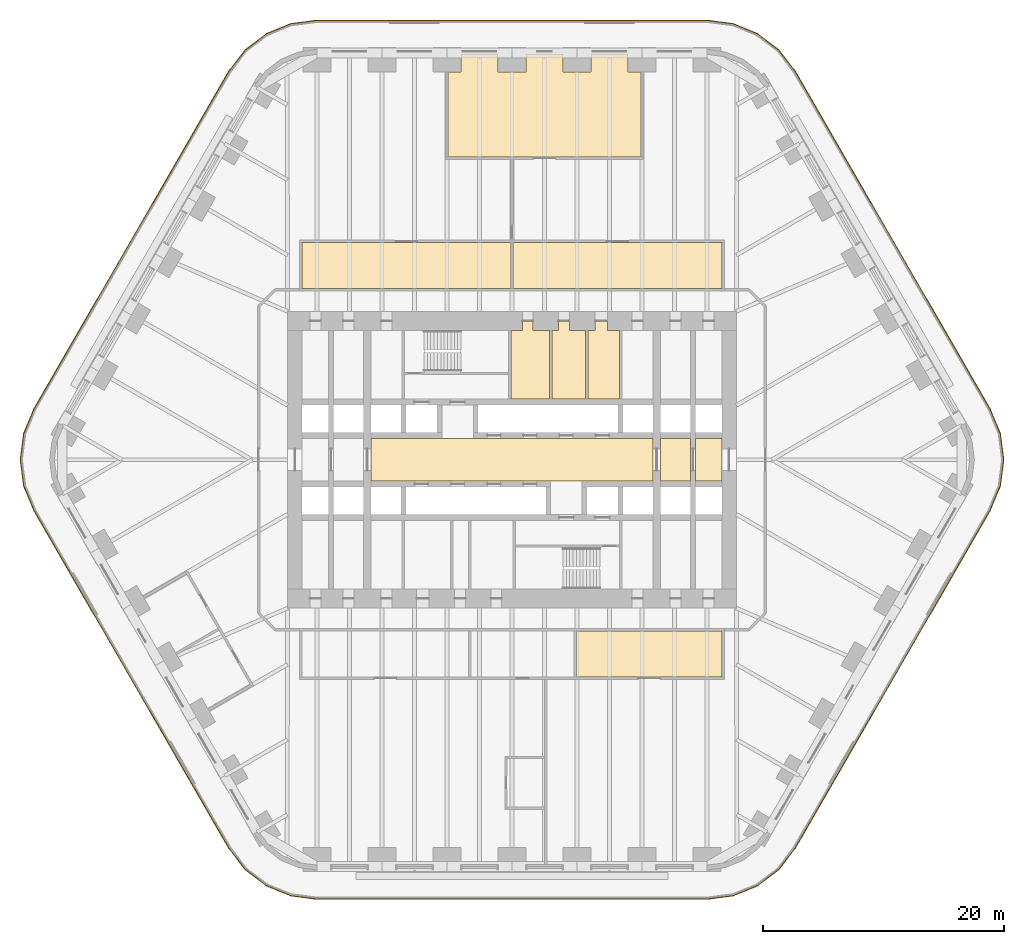
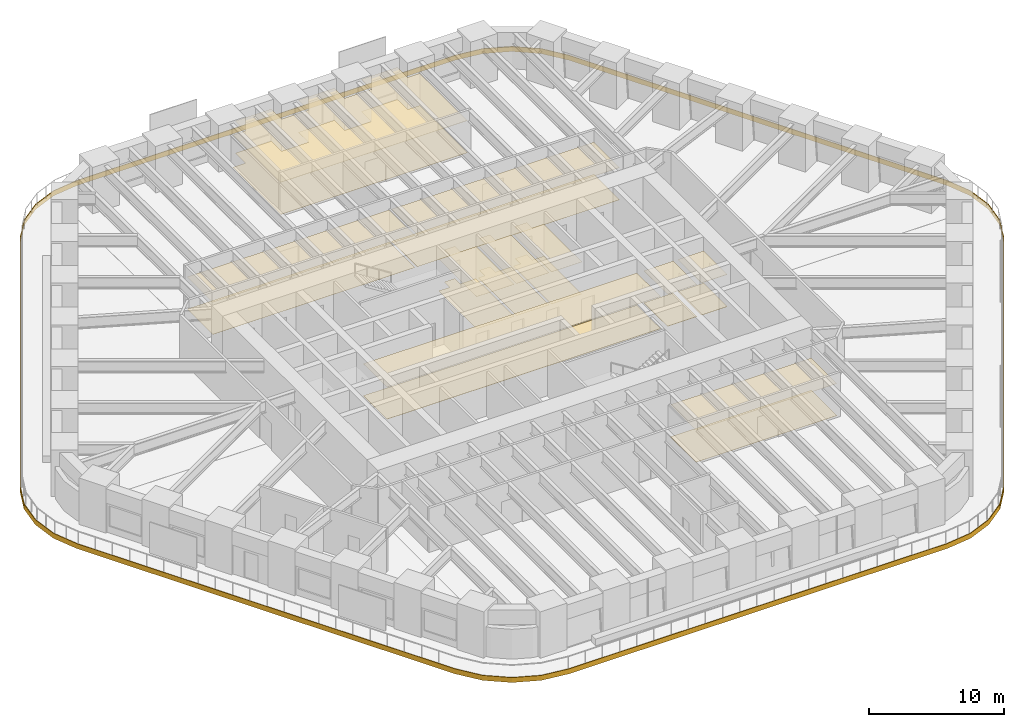
# One storey, part 22 of 23: 15 coverings.
"""IFC4 building model written with IfcOpenShell, lengths in metres."""

from ifc_helpers import new_model, si_unit, direction, frame, origin, place, context, subcontext, project, spatial, polyline, outline, extrude, material, layer, layer_set, type_object, element, save


model = new_model("IFC4")

# Units and contexts
model_context = context("Model", 3, precision=1e-05, world=origin(), true_north=direction((0.0, 1.0)))
body_context = subcontext(model_context, "Body", "Model", "MODEL_VIEW")
ifc_project = project(units=[si_unit("LENGTHUNIT", "METRE"), si_unit("AREAUNIT", "SQUARE_METRE"), si_unit("VOLUMEUNIT", "CUBIC_METRE"), si_unit("PLANEANGLEUNIT", "RADIAN"), si_unit("MASSUNIT", "GRAM", prefix="KILO")], contexts=[model_context])

# Site, building, storey
site_placement = place(None, origin())
site = spatial("IfcSite", under=ifc_project, at=site_placement, CompositionType="ELEMENT")
building_placement = place(site_placement, origin())
building = spatial("IfcBuilding", under=site, at=building_placement, Name="Tarfa Lantern Tower", CompositionType="ELEMENT")
storey_placement = place(building_placement, frame((0.0, 0.0, 36.10009765625)))
storey = spatial("IfcBuildingStorey", under=building, at=storey_placement, Name="L07", CompositionType="ELEMENT", Elevation=36.10009765625)

# Coverings
ifc_material_1 = material(Name="Mineral fibre acoustic tile on suspension grid", Category="finish")
ifc_layer_1 = layer(ifc_material_1, 0.02001953125)
ifc_layer_set_1 = layer_set([ifc_layer_1], Name="CL1 ACOUSTIC TILE CEILING 20")
covering_type_1 = type_object("IfcCoveringType", Name="CL1 ACOUSTIC TILE CEILING 20", PredefinedType="CEILING", material=ifc_layer_set_1)
covering_1_placement = place(storey_placement, frame((0.0, 0.0, 2.89990234375)))
element("IfcCovering", 1, at=covering_1_placement, inside=storey, type_object=covering_type_1, Name="Ceiling L07 CL1", PredefinedType="CEILING", context=body_context, shape_type="SweptSolid", body=[
    extrude(outline(polyline([(0.10009765625, 18.0), (17.39990234375, 18.0), (17.39990234375, 14.199951171875), (0.10009765625, 14.199951171875), (0.10009765625, 18.0)])), origin(), (0.0, 0.0, 1.0), 0.02001953125),
    extrude(outline(polyline([(5.35009765625, -14.199951171875), (17.39990234375, -14.199951171875), (17.39990234375, -18.0), (5.35009765625, -18.0), (5.35009765625, -14.199951171875)])), origin(), (0.0, 0.0, 1.0), 0.02001953125),
    extrude(outline(polyline([(10.67724609375, 25.10009765625), (-5.28857421875, 25.10009765625), (-5.28857421875, 32.14990234375), (-4.238525390625, 32.14990234375), (-4.238525390625, 33.64990234375), (-1.14990234375, 33.64990234375), (-1.14990234375, 32.14990234375), (1.14990234375, 32.14990234375), (1.14990234375, 33.64990234375), (4.238525390625, 33.64990234375), (4.238525390625, 32.14990234375), (6.53857421875, 32.14990234375), (6.53857421875, 33.64990234375), (9.627197265625, 33.64990234375), (9.627197265625, 32.14990234375), (10.67724609375, 32.14990234375), (10.67724609375, 25.10009765625)])), origin(), (0.0, 0.0, 1.0), 0.02001953125),
    extrude(outline(polyline([(-17.39990234375, 18.0), (-0.10009765625, 18.0), (-0.10009765625, 14.199951171875), (-17.39990234375, 14.199951171875), (-17.39990234375, 18.0)])), origin(), (0.0, 0.0, 1.0), 0.02001953125),
])
ifc_material_2 = material(Name="Moisture-resistant plasterboard", Category="finish")
ifc_layer_2 = layer(ifc_material_2, 0.014892578125)
ifc_layer_set_2 = layer_set([ifc_layer_2], Name="CL2 MOISTURE-RESISTANT PLASTERBOARD CEILING 15")
covering_type_2 = type_object("IfcCoveringType", Name="CL2 MOISTURE-RESISTANT PLASTERBOARD CEILING 15", PredefinedType="CEILING", material=ifc_layer_set_2)
covering_2_placement = place(storey_placement, frame((0.0, 0.0, 2.89990234375)))
element("IfcCovering", 2, at=covering_2_placement, inside=storey, type_object=covering_type_2, Name="Ceiling L07-09", PredefinedType="CEILING", context=body_context, shape_type="SweptSolid", body=[
    extrude(outline(polyline([(0.85009765625, 10.699951171875), (-0.10009765625, 10.699951171875), (-0.10009765625, 5.050048828125), (3.10009765625, 5.050048828125), (3.10009765625, 10.699951171875), (1.75, 10.699951171875), (1.75, 11.5), (0.85009765625, 11.5), (0.85009765625, 10.699951171875)])), origin(), (0.0, 0.0, 1.0), 0.014892578125),
])
covering_3_placement = place(storey_placement, frame((0.0, 0.0, 2.89990234375)))
element("IfcCovering", 3, at=covering_3_placement, inside=storey, type_object=covering_type_2, Name="Ceiling L07-10", PredefinedType="CEILING", context=body_context, shape_type="SweptSolid", body=[
    extrude(outline(polyline([(3.300048828125, 5.050048828125), (6.10009765625, 5.050048828125), (6.10009765625, 10.699951171875), (4.75, 10.699951171875), (4.75, 11.5), (3.85009765625, 11.5), (3.85009765625, 10.699951171875), (3.300048828125, 10.699951171875), (3.300048828125, 5.050048828125)])), origin(), (0.0, 0.0, 1.0), 0.014892578125),
])
covering_4_placement = place(storey_placement, frame((0.0, 0.0, 2.89990234375)))
element("IfcCovering", 4, at=covering_4_placement, inside=storey, type_object=covering_type_2, Name="Ceiling L07-11", PredefinedType="CEILING", context=body_context, shape_type="SweptSolid", body=[
    extrude(outline(polyline([(6.300048828125, 5.050048828125), (8.89990234375, 5.050048828125), (8.89990234375, 10.699951171875), (7.89990234375, 10.699951171875), (7.89990234375, 11.5), (6.89990234375, 11.5), (6.89990234375, 10.699951171875), (6.300048828125, 10.699951171875), (6.300048828125, 5.050048828125)])), origin(), (0.0, 0.0, 1.0), 0.014892578125),
])
ifc_material_3 = material(Name="Powder-coated aluminium panel", Category="aluminium")
ifc_layer_3 = layer(ifc_material_3, 0.030029296875)
ifc_layer_set_3 = layer_set([ifc_layer_3], Name="CL3 METAL PANEL CEILING 30")
covering_type_3 = type_object("IfcCoveringType", Name="CL3 METAL PANEL CEILING 30", PredefinedType="CEILING", material=ifc_layer_set_3)
covering_5_placement = place(storey_placement, frame((0.0, 0.0, 2.89990234375)))
element("IfcCovering", 5, at=covering_5_placement, inside=storey, type_object=covering_type_3, Name="Ceiling L07-03", PredefinedType="CEILING", context=body_context, shape_type="SweptSolid", body=[
    extrude(outline(polyline([(-11.699951171875, -1.75), (11.699951171875, -1.75), (11.699951171875, 1.75), (-11.699951171875, 1.75), (-11.699951171875, -1.75)])), origin(), (0.0, 0.0, 1.0), 0.030029296875),
])
covering_6_placement = place(storey_placement, frame((0.0, 0.0, 2.89990234375)))
element("IfcCovering", 6, at=covering_6_placement, inside=storey, type_object=covering_type_3, Name="Ceiling L07-04", PredefinedType="CEILING", context=body_context, shape_type="SweptSolid", body=[
    extrude(outline(polyline([(12.300048828125, -1.75), (14.800048828125, -1.75), (14.800048828125, 1.75), (12.300048828125, 1.75), (12.300048828125, -1.75)])), origin(), (0.0, 0.0, 1.0), 0.030029296875),
])
covering_7_placement = place(storey_placement, frame((0.0, 0.0, 2.89990234375)))
element("IfcCovering", 7, at=covering_7_placement, inside=storey, type_object=covering_type_3, Name="Ceiling L07-05", PredefinedType="CEILING", context=body_context, shape_type="SweptSolid", body=[
    extrude(outline(polyline([(15.199951171875, -1.75), (17.39990234375, -1.75), (17.39990234375, 1.75), (15.199951171875, 1.75), (15.199951171875, -1.75)])), origin(), (0.0, 0.0, 1.0), 0.030029296875),
])
ifc_material_4 = material(Name="Nylon carpet tile", Category="finish")
ifc_layer_4 = layer(ifc_material_4, 0.010009765625)
ifc_layer_set_4 = layer_set([ifc_layer_4], Name="FL1 CARPET TILE 10")
covering_type_4 = type_object("IfcCoveringType", Name="FL1 CARPET TILE 10", PredefinedType="FLOORING", material=ifc_layer_set_4)
covering_8_placement = place(storey_placement, origin())
element("IfcCovering", 8, at=covering_8_placement, inside=storey, type_object=covering_type_4, Name="Floor finish L07 FL1", PredefinedType="FLOORING", context=body_context, shape_type="SweptSolid", body=[
    extrude(outline(polyline([(0.10009765625, 18.0), (17.39990234375, 18.0), (17.39990234375, 14.199951171875), (0.10009765625, 14.199951171875), (0.10009765625, 18.0)])), origin(), (0.0, 0.0, 1.0), 0.010009765625),
    extrude(outline(polyline([(5.35009765625, -14.199951171875), (17.39990234375, -14.199951171875), (17.39990234375, -18.0), (5.35009765625, -18.0), (5.35009765625, -14.199951171875)])), origin(), (0.0, 0.0, 1.0), 0.010009765625),
    extrude(outline(polyline([(10.67724609375, 25.10009765625), (-5.28857421875, 25.10009765625), (-5.28857421875, 32.14990234375), (-4.238525390625, 32.14990234375), (-4.238525390625, 33.64990234375), (-1.14990234375, 33.64990234375), (-1.14990234375, 32.14990234375), (1.14990234375, 32.14990234375), (1.14990234375, 33.64990234375), (4.238525390625, 33.64990234375), (4.238525390625, 32.14990234375), (6.53857421875, 32.14990234375), (6.53857421875, 33.64990234375), (9.627197265625, 33.64990234375), (9.627197265625, 32.14990234375), (10.67724609375, 32.14990234375), (10.67724609375, 25.10009765625)])), origin(), (0.0, 0.0, 1.0), 0.010009765625),
    extrude(outline(polyline([(-17.39990234375, 18.0), (-0.10009765625, 18.0), (-0.10009765625, 14.199951171875), (-17.39990234375, 14.199951171875), (-17.39990234375, 18.0)])), origin(), (0.0, 0.0, 1.0), 0.010009765625),
])
ifc_material_5 = material(Name="Honed limestone flooring", Category="masonry")
ifc_layer_5 = layer(ifc_material_5, 0.030029296875)
ifc_layer_set_5 = layer_set([ifc_layer_5], Name="FL2 STONE FLOORING 30")
covering_type_5 = type_object("IfcCoveringType", Name="FL2 STONE FLOORING 30", PredefinedType="FLOORING", material=ifc_layer_set_5)
covering_9_placement = place(storey_placement, origin())
element("IfcCovering", 9, at=covering_9_placement, inside=storey, type_object=covering_type_5, Name="Floor finish L07-03", PredefinedType="FLOORING", context=body_context, shape_type="SweptSolid", body=[
    extrude(outline(polyline([(-11.699951171875, -1.75), (11.699951171875, -1.75), (11.699951171875, 1.75), (-11.699951171875, 1.75), (-11.699951171875, -1.75)])), origin(), (0.0, 0.0, 1.0), 0.02978515625),
])
covering_10_placement = place(storey_placement, origin())
element("IfcCovering", 10, at=covering_10_placement, inside=storey, type_object=covering_type_5, Name="Floor finish L07-04", PredefinedType="FLOORING", context=body_context, shape_type="SweptSolid", body=[
    extrude(outline(polyline([(12.300048828125, -1.75), (14.800048828125, -1.75), (14.800048828125, 1.75), (12.300048828125, 1.75), (12.300048828125, -1.75)])), origin(), (0.0, 0.0, 1.0), 0.02978515625),
])
covering_11_placement = place(storey_placement, origin())
element("IfcCovering", 11, at=covering_11_placement, inside=storey, type_object=covering_type_5, Name="Floor finish L07-05", PredefinedType="FLOORING", context=body_context, shape_type="SweptSolid", body=[
    extrude(outline(polyline([(15.199951171875, -1.75), (17.39990234375, -1.75), (17.39990234375, 1.75), (15.199951171875, 1.75), (15.199951171875, -1.75)])), origin(), (0.0, 0.0, 1.0), 0.02978515625),
])
ifc_material_6 = material(Name="Porcelain floor tile", Category="finish")
ifc_layer_6 = layer(ifc_material_6, 0.011962890625)
ifc_layer_set_6 = layer_set([ifc_layer_6], Name="FL3 CERAMIC TILE 12")
covering_type_6 = type_object("IfcCoveringType", Name="FL3 CERAMIC TILE 12", PredefinedType="FLOORING", material=ifc_layer_set_6)
covering_12_placement = place(storey_placement, origin())
element("IfcCovering", 12, at=covering_12_placement, inside=storey, type_object=covering_type_6, Name="Floor finish L07-09", PredefinedType="FLOORING", context=body_context, shape_type="SweptSolid", body=[
    extrude(outline(polyline([(0.85009765625, 10.699951171875), (-0.10009765625, 10.699951171875), (-0.10009765625, 5.050048828125), (3.10009765625, 5.050048828125), (3.10009765625, 10.699951171875), (1.75, 10.699951171875), (1.75, 11.5), (0.85009765625, 11.5), (0.85009765625, 10.699951171875)])), origin(), (0.0, 0.0, 1.0), 0.011962890625),
])
covering_13_placement = place(storey_placement, origin())
element("IfcCovering", 13, at=covering_13_placement, inside=storey, type_object=covering_type_6, Name="Floor finish L07-10", PredefinedType="FLOORING", context=body_context, shape_type="SweptSolid", body=[
    extrude(outline(polyline([(3.300048828125, 5.050048828125), (6.10009765625, 5.050048828125), (6.10009765625, 10.699951171875), (4.75, 10.699951171875), (4.75, 11.5), (3.85009765625, 11.5), (3.85009765625, 10.699951171875), (3.300048828125, 10.699951171875), (3.300048828125, 5.050048828125)])), origin(), (0.0, 0.0, 1.0), 0.011962890625),
])
covering_14_placement = place(storey_placement, origin())
element("IfcCovering", 14, at=covering_14_placement, inside=storey, type_object=covering_type_6, Name="Floor finish L07-11", PredefinedType="FLOORING", context=body_context, shape_type="SweptSolid", body=[
    extrude(outline(polyline([(6.300048828125, 5.050048828125), (8.89990234375, 5.050048828125), (8.89990234375, 10.699951171875), (7.89990234375, 10.699951171875), (7.89990234375, 11.5), (6.89990234375, 11.5), (6.89990234375, 10.699951171875), (6.300048828125, 10.699951171875), (6.300048828125, 5.050048828125)])), origin(), (0.0, 0.0, 1.0), 0.011962890625),
])
ifc_material_7 = material(Name="Limestone cladding on brackets", Category="masonry")
ifc_layer_7 = layer(ifc_material_7, 0.050048828125)
ifc_layer_set_7 = layer_set([ifc_layer_7], Name="SB1 STONE BAND CLADDING 50")
covering_type_7 = type_object("IfcCoveringType", Name="SB1 STONE BAND CLADDING 50", PredefinedType="CLADDING", material=ifc_layer_set_7)
covering_15_placement = place(storey_placement, frame((0.0, 0.0, -0.400146484375)))
element("IfcCovering", 15, at=covering_15_placement, inside=storey, type_object=covering_type_7, Name="Stone band", PredefinedType="CLADDING", context=body_context, shape_type="SweptSolid", body=[
    extrude(outline(polyline([(39.6494140625, 4.22509765625), (23.483642578125, 32.22509765625), (22.140869140625, 33.97509765625), (20.390869140625, 35.31787109375), (18.352783203125, 36.162109375), (16.165771484375, 36.449951171875), (-16.165771484375, 36.449951171875), (-18.352783203125, 36.162109375), (-20.390869140625, 35.31787109375), (-22.140869140625, 33.97509765625), (-23.483642578125, 32.22509765625), (-39.6494140625, 4.22509765625), (-40.49365234375, 2.18701171875), (-40.781494140625, 0.0), (-40.49365234375, -2.18701171875), (-39.6494140625, -4.22509765625), (-23.483642578125, -32.22509765625), (-22.140869140625, -33.97509765625), (-20.390869140625, -35.31787109375), (-18.352783203125, -36.162109375), (-16.165771484375, -36.449951171875), (16.165771484375, -36.449951171875), (18.352783203125, -36.162109375), (20.390869140625, -35.31787109375), (22.140869140625, -33.97509765625), (23.483642578125, -32.22509765625), (39.6494140625, -4.22509765625), (40.49365234375, -2.18701171875), (40.781494140625, 0.0), (40.49365234375, 2.18701171875), (39.6494140625, 4.22509765625)]), holes=[polyline([(39.606201171875, 4.199951171875), (23.4404296875, 32.199951171875), (22.10546875, 33.939697265625), (20.36572265625, 35.274658203125), (18.33984375, 36.11376953125), (16.165771484375, 36.39990234375), (-16.165771484375, 36.39990234375), (-18.33984375, 36.11376953125), (-20.36572265625, 35.274658203125), (-22.10546875, 33.939697265625), (-23.4404296875, 32.199951171875), (-39.606201171875, 4.199951171875), (-40.4453125, 2.174072265625), (-40.731689453125, 0.0), (-40.4453125, -2.174072265625), (-39.606201171875, -4.199951171875), (-23.4404296875, -32.199951171875), (-22.10546875, -33.939697265625), (-20.36572265625, -35.274658203125), (-18.33984375, -36.11376953125), (-16.165771484375, -36.39990234375), (16.165771484375, -36.39990234375), (18.33984375, -36.11376953125), (20.36572265625, -35.274658203125), (22.10546875, -33.939697265625), (23.4404296875, -32.199951171875), (39.606201171875, -4.199951171875), (40.4453125, -2.174072265625), (40.731689453125, 0.0), (40.4453125, 2.174072265625), (39.606201171875, 4.199951171875)])]), origin(), (0.0, 0.0, 1.0), 0.449951171875),
])

save(model, "model.ifc")
